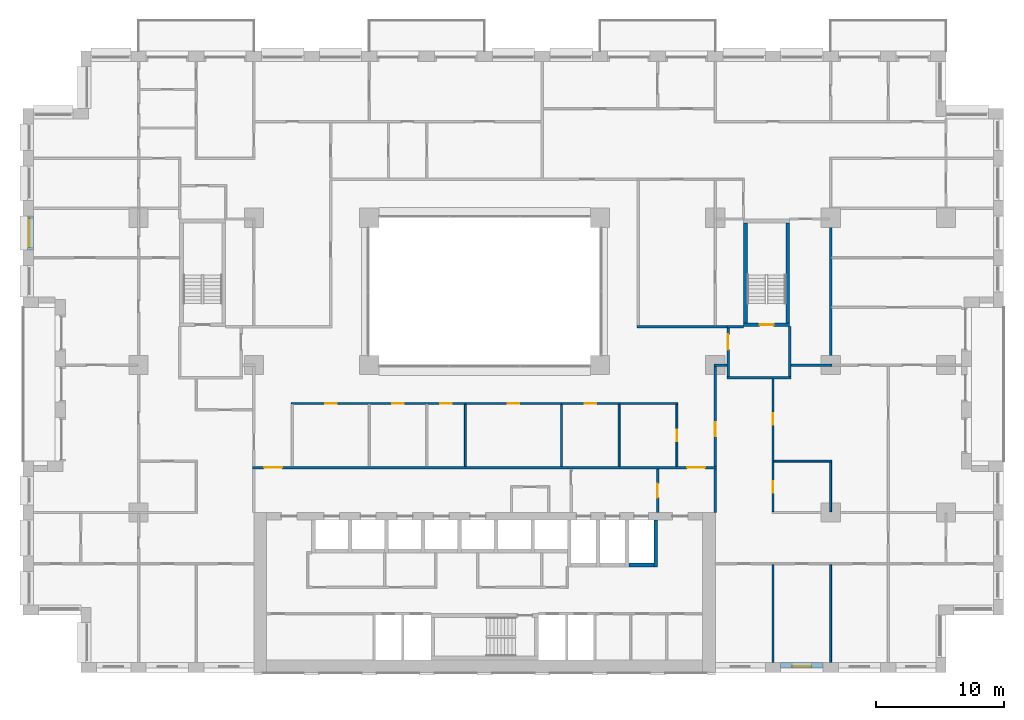
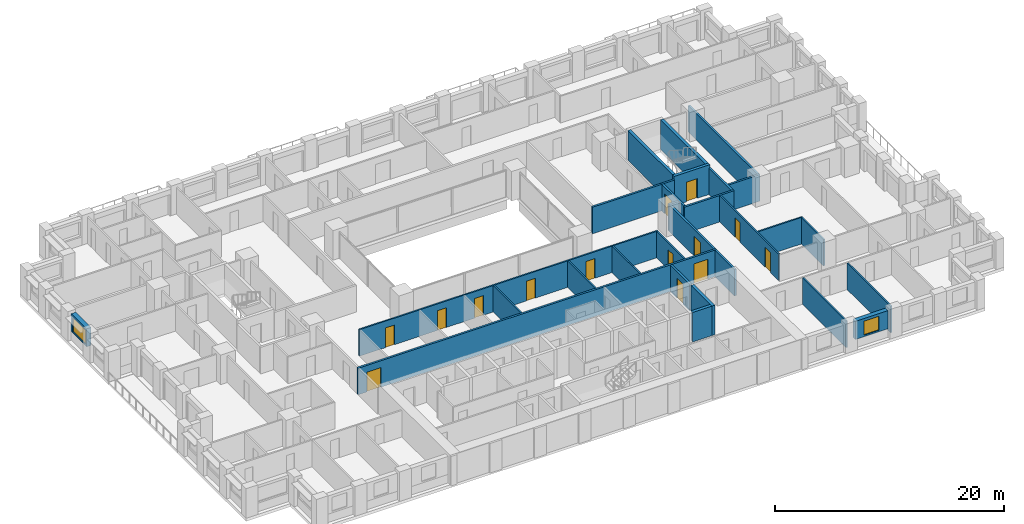
# One storey, part 12 of 20: 29 walls, 14 doors, 2 windows, 16 openings.
"""IFC4 building model written with IfcOpenShell, lengths in metres."""

import ifcopenshell
import ifcopenshell.guid

model = None  # the IFC model being written
_history = None  # IfcOwnerHistory: only IFC2X3 demands one
_inside = {}  # id of a spatial element -> (the spatial element, [elements in it])
_under = {}  # id of a project, library or spatial element -> (it, [spatial elements below it])
_declared = {}  # id of a project -> (the project, [libraries it declares])
_typed = {}  # id of a type object -> (the type object, [elements of that type])
_made_of = {}  # id of a material, layer set ... -> (it, [elements and type objects made of it])


def new_model(schema):
    """Start an empty IFC model of exactly this schema.

    Asked for "IFC4X3", IfcOpenShell would pick the latest addendum, in which some entities
    have other attributes; the version numbers below select the first issue.
    IFC2X3 requires an IfcOwnerHistory on every rooted entity: one is made here for all.
    """
    global model, _history
    if schema == "IFC4X3":
        model = ifcopenshell.file(schema_version=(4, 3, 0, 0))
    else:
        model = ifcopenshell.file(schema=schema)
    _inside.clear()
    _under.clear()
    _declared.clear()
    _typed.clear()
    _made_of.clear()
    _history = None
    if model.schema == "IFC2X3":
        org = make("IfcOrganization", Name="unknown")
        user = make(
            "IfcPersonAndOrganization",
            ThePerson=make("IfcPerson", FamilyName="unknown"),
            TheOrganization=org,
        )
        app = make(
            "IfcApplication",
            ApplicationDeveloper=org,
            Version="unknown",
            ApplicationFullName="unknown",
            ApplicationIdentifier="unknown",
        )
        _history = make(
            "IfcOwnerHistory",
            OwningUser=user,
            OwningApplication=app,
            ChangeAction="ADDED",
            CreationDate=0,
        )
    return model


def make(cls, **values):
    """One entity of the class cls with the attributes given. An attribute that is None is left unset."""
    return model.create_entity(
        cls, **{name: value for name, value in values.items() if value is not None}
    )


def rooted(cls, **values):
    """An entity with a GlobalId (a new one), such as an element, a storey or a relation."""
    return make(cls, GlobalId=ifcopenshell.guid.new(), OwnerHistory=_history, **values)


def si_unit(unit_type, name, prefix=None):
    """IfcSIUnit, for example si_unit("LENGTHUNIT", "METRE", prefix="MILLI")."""
    return make("IfcSIUnit", UnitType=unit_type, Prefix=prefix, Name=name)


def assignment(units):
    """IfcUnitAssignment: the units of a project."""
    return None if units is None else make("IfcUnitAssignment", Units=units)


def point(xyz):
    """IfcCartesianPoint."""
    return None if xyz is None else make("IfcCartesianPoint", Coordinates=xyz)


def direction(xyz):
    """IfcDirection."""
    return None if xyz is None else make("IfcDirection", DirectionRatios=xyz)


def frame(location, z_axis=None, x_axis=None):
    """IfcAxis2Placement3D, a coordinate frame: its origin and axes. An axis left out is left unset."""
    return make(
        "IfcAxis2Placement3D",
        Location=point(location),
        Axis=direction(z_axis),
        RefDirection=direction(x_axis),
    )


def frame_2d(location, x_axis=None):
    """IfcAxis2Placement2D, a coordinate frame in the plane: its origin and x axis."""
    return make(
        "IfcAxis2Placement2D", Location=point(location), RefDirection=direction(x_axis)
    )


def origin():
    """The frame at (0, 0, 0) with its axes left unset."""
    return frame((0.0, 0.0, 0.0))


def place(relative_to, where):
    """IfcLocalPlacement: puts the frame where relative to a parent placement (None: the world)."""
    return make(
        "IfcLocalPlacement", PlacementRelTo=relative_to, RelativePlacement=where
    )


def context(
    kind, dimensions, precision=None, world=None, true_north=None, identifier=None
):
    """IfcGeometricRepresentationContext, for example the 3D "Model" context."""
    return make(
        "IfcGeometricRepresentationContext",
        ContextIdentifier=identifier,
        ContextType=kind,
        CoordinateSpaceDimension=dimensions,
        Precision=precision,
        WorldCoordinateSystem=world,
        TrueNorth=true_north,
    )


def subcontext(parent, identifier, kind, view, scale=None):
    """IfcGeometricRepresentationSubContext, for example "Body" below "Model"."""
    return make(
        "IfcGeometricRepresentationSubContext",
        ContextIdentifier=identifier,
        ContextType=kind,
        ParentContext=parent,
        TargetScale=scale,
        TargetView=view,
    )


def project(units=None, contexts=None):
    """IfcProject with its units and contexts."""
    return rooted(
        "IfcProject",
        Name="project",
        RepresentationContexts=contexts,
        UnitsInContext=assignment(units),
    )


def spatial(cls, under=None, at=None, **own):
    """A site, building, storey or space (cls), placed at a placement, below another one or the project."""
    s = rooted(cls, ObjectPlacement=at, **own)
    if under is not None:
        _under.setdefault(under.id(), (under, []))[1].append(s)
    return s


def profile(cls, at=None, kind="AREA", **sizes):
    """A parametric profile (cls). Its sizes go by their IFC names, for example OverallWidth=200.0."""
    return make(cls, ProfileType=kind, Position=at, **sizes)


def rectangle(**sizes):
    """IfcRectangleProfileDef."""
    return profile("IfcRectangleProfileDef", **sizes)


def extrude(swept, where, along, depth):
    """IfcExtrudedAreaSolid: the profile swept, set in the frame where, extruded along a direction by depth."""
    return make(
        "IfcExtrudedAreaSolid",
        SweptArea=swept,
        Position=where,
        ExtrudedDirection=direction(along),
        Depth=depth,
    )


def shape(context_of_items, identifier, shape_type, items):
    """IfcShapeRepresentation: the items that make up one representation, for example the "Body"."""
    return make(
        "IfcShapeRepresentation",
        ContextOfItems=context_of_items,
        RepresentationIdentifier=identifier,
        RepresentationType=shape_type,
        Items=items,
    )


def material(Name=None, Category=None):
    """IfcMaterial."""
    return make("IfcMaterial", Name=Name, Category=Category)


def layer(
    of_material, thickness, ventilated=None, Name=None, Category=None, Priority=None
):
    """IfcMaterialLayer: one layer of a wall or slab, of a material (None: an air gap)."""
    return make(
        "IfcMaterialLayer",
        Material=of_material,
        LayerThickness=thickness,
        IsVentilated=ventilated,
        Name=Name,
        Category=Category,
        Priority=Priority,
    )


def layer_set(layers, Name=None):
    """IfcMaterialLayerSet."""
    return make("IfcMaterialLayerSet", MaterialLayers=layers, LayerSetName=Name)


def made_of(thing, what):
    """Note that an element or type object is made of a material, layer set ...; save() writes the relation."""
    if what is not None:
        _made_of.setdefault(what.id(), (what, []))[1].append(thing)
    return thing


def type_object(cls, material=None, **own):
    """A type object (cls), such as IfcWallType, which elements share."""
    return made_of(rooted(cls, **own), material)


def element(
    cls,
    number,
    at=None,
    inside=None,
    cuts=None,
    type_object=None,
    material=None,
    context=None,
    identifier="Body",
    shape_type=None,
    held_by="IfcProductDefinitionShape",
    body=None,
    shapes=None,
    **own,
):
    """One element of the class cls, such as IfcWall. Its Tag is "e" and its number.

    at: its placement. inside: the storey or other place that contains it. cuts: it is an
    opening in that element (IfcRelVoidsElement). A single representation is given by context,
    identifier, shape_type and body (its items); several are given by shapes. held_by: the class
    of the entity that holds the representations. save() writes the other relations.
    """
    e = rooted(cls, Tag="e%d" % number, ObjectPlacement=at, **own)
    if body is not None:
        shapes = [shape(context, identifier, shape_type, body)]
    if shapes is not None:
        e.Representation = make(held_by, Representations=shapes)
    if inside is not None:
        _inside.setdefault(inside.id(), (inside, []))[1].append(e)
    if cuts is not None:
        rooted(
            "IfcRelVoidsElement", RelatingBuildingElement=cuts, RelatedOpeningElement=e
        )
    if type_object is not None:
        _typed.setdefault(type_object.id(), (type_object, []))[1].append(e)
    return made_of(e, material)


def fill(opening, filler):
    """IfcRelFillsElement: the door or window that sits in an opening."""
    return rooted(
        "IfcRelFillsElement",
        RelatingOpeningElement=opening,
        RelatedBuildingElement=filler,
    )


def aggregate(whole, parts):
    """IfcRelAggregates: a whole, such as a stair, and the parts it consists of."""
    return rooted("IfcRelAggregates", RelatingObject=whole, RelatedObjects=parts)


def save(model, path):
    """Write the relations noted so far, then the file.

    IfcRelAggregates (storeys below a building ...), IfcRelContainedInSpatialStructure (elements
    in a storey), IfcRelDefinesByType, IfcRelAssociatesMaterial and IfcRelDeclares: one each for
    every whole, place, type object, material and project.
    """
    for whole, parts in _under.values():
        aggregate(whole, parts)
    for where, things in _inside.values():
        rooted(
            "IfcRelContainedInSpatialStructure",
            RelatedElements=things,
            RelatingStructure=where,
        )
    for kind, things in _typed.values():
        rooted("IfcRelDefinesByType", RelatedObjects=things, RelatingType=kind)
    for what, things in _made_of.values():
        rooted("IfcRelAssociatesMaterial", RelatedObjects=things, RelatingMaterial=what)
    for by, libraries in _declared.values():
        rooted("IfcRelDeclares", RelatingContext=by, RelatedDefinitions=libraries)
    model.write(path)


model = new_model("IFC4")

# Units and contexts
model_context = context("Model", 3, precision=1e-05, world=origin(), true_north=direction((0.0, 1.0)))
body_context = subcontext(model_context, "Body", "Model", "MODEL_VIEW")
ifc_project = project(units=[si_unit("LENGTHUNIT", "METRE"), si_unit("AREAUNIT", "SQUARE_METRE"), si_unit("VOLUMEUNIT", "CUBIC_METRE"), si_unit("PLANEANGLEUNIT", "RADIAN"), si_unit("MASSUNIT", "GRAM", prefix="KILO")], contexts=[model_context])

# Site, building, storey
site_placement = place(None, origin())
site = spatial("IfcSite", under=ifc_project, at=site_placement, CompositionType="ELEMENT")
building_placement = place(site_placement, origin())
building = spatial("IfcBuilding", under=site, at=building_placement, Name="Brigalow Station Residences", CompositionType="ELEMENT")
storey_placement = place(building_placement, frame((0.0, 0.0, 60.449951171875)))
storey = spatial("IfcBuildingStorey", under=building, at=storey_placement, Name="L17", CompositionType="ELEMENT", Elevation=60.449951171875)

# Wall, opening, window
ifc_material_1 = material(Name="Clay brick masonry", Category="masonry")
ifc_layer_1 = layer(ifc_material_1, 0.449951171875)
ifc_layer_set_1 = layer_set([ifc_layer_1], Name="BRICK INFILL WALL 450")
wall_type_1 = type_object("IfcWallType", Name="BRICK INFILL WALL 450", PredefinedType="SOLIDWALL", material=ifc_layer_set_1)
wall_1_placement = place(storey_placement, frame((59.10009765625, 0.574951171875, 0.900146484375), z_axis=(0.0, 0.0, 1.0), x_axis=(1.0, 0.0, 0.0)))
wall_1 = element("IfcWall", 1, at=wall_1_placement, inside=storey, type_object=wall_type_1, Name="L17/ewall/W-L17-6", PredefinedType="SOLIDWALL", context=body_context, shape_type="SweptSolid", body=[
    extrude(rectangle(XDim=3.2998046875, YDim=0.449951171875, at=frame_2d((1.64990234375, 0.0))), origin(), (0.0, 0.0, 1.0), 1.929931640625),
])
opening_1_placement = place(wall_1_placement, frame((0.89990234375, 0.0, 0.14990234375)))
opening_1 = element("IfcOpeningElement", 2, at=opening_1_placement, cuts=wall_1, Name="Opening WT-1", PredefinedType="OPENING", context=body_context, shape_type="SweptSolid", body=[
    extrude(rectangle(XDim=1.5, YDim=1.5, at=frame_2d((0.75, 0.75))), frame((0.0, 0.23486328125, 0.0), z_axis=(0.0, -1.0, 0.0), x_axis=(1.0, 0.0, 0.0)), (0.0, 0.0, 1.0), 0.469970703125),
])
ifc_material_2 = material(Name="Anodised aluminium frame with double glazing", Category="aluminium")
window_type_1 = type_object("IfcWindowType", Name="WINDOW 1500x1500", PartitioningType="SINGLE_PANEL", PredefinedType="WINDOW", material=ifc_material_2)
window_1_placement = place(opening_1_placement, origin())
window_1 = element("IfcWindow", 3, at=window_1_placement, inside=storey, type_object=window_type_1, Name="L17/window/W-L17-6", OverallHeight=1.5, OverallWidth=1.5, PartitioningType="SINGLE_PANEL", PredefinedType="WINDOW", context=body_context, shape_type="SweptSolid", body=[
    extrude(rectangle(XDim=1.5, YDim=1.5, at=frame_2d((0.75, 0.75))), frame((0.0, -0.06494140625, 0.0), z_axis=(0.0, -1.0, 0.0), x_axis=(1.0, 0.0, 0.0)), (0.0, 0.0, 1.0), 0.06005859375),
])
fill(opening_1, window_1)

wall_2_placement = place(storey_placement, frame((0.574951171875, 35.64990234375, 0.900146484375), z_axis=(0.0, 0.0, 1.0), x_axis=(0.0, -1.0, 0.0)))
wall_2 = element("IfcWall", 4, at=wall_2_placement, inside=storey, type_object=wall_type_1, Name="L17/ewall/W-L17-44", PredefinedType="SOLIDWALL", context=body_context, shape_type="SweptSolid", body=[
    extrude(rectangle(XDim=2.6748046875, YDim=0.449951171875, at=frame_2d((1.33740234375, 0.0))), origin(), (0.0, 0.0, 1.0), 1.929931640625),
])
opening_2_placement = place(wall_2_placement, frame((0.21240234375, 0.0, 0.14990234375)))
opening_2 = element("IfcOpeningElement", 5, at=opening_2_placement, cuts=wall_2, Name="Opening WT-6", PredefinedType="OPENING", context=body_context, shape_type="SweptSolid", body=[
    extrude(rectangle(XDim=2.25, YDim=1.5, at=frame_2d((1.125, 0.75))), frame((0.0, 0.23486328125, 0.0), z_axis=(0.0, -1.0, 0.0), x_axis=(1.0, 0.0, 0.0)), (0.0, 0.0, 1.0), 0.469970703125),
])
ifc_material_3 = material(Name="Anodised aluminium frame with double glazing", Category="aluminium")
window_type_2 = type_object("IfcWindowType", Name="WINDOW 2250x1500", PartitioningType="SINGLE_PANEL", PredefinedType="WINDOW", material=ifc_material_3)
window_2_placement = place(opening_2_placement, origin())
window_2 = element("IfcWindow", 6, at=window_2_placement, inside=storey, type_object=window_type_2, Name="L17/window/W-L17-44", OverallHeight=1.5, OverallWidth=2.25, PartitioningType="SINGLE_PANEL", PredefinedType="WINDOW", context=body_context, shape_type="SweptSolid", body=[
    extrude(rectangle(XDim=2.25, YDim=1.5, at=frame_2d((1.125, 0.75))), frame((0.0, -0.06494140625, 0.0), z_axis=(0.0, -1.0, 0.0), x_axis=(1.0, 0.0, 0.0)), (0.0, 0.0, 1.0), 0.06005859375),
])
fill(opening_2, window_2)

# Walls
ifc_material_4 = material(Name="Concrete C80", Category="concrete")
ifc_layer_2 = layer(ifc_material_4, 0.300048828125)
ifc_layer_set_2 = layer_set([ifc_layer_2], Name="CORE SHEAR WALL 300 C80")
wall_type_2 = type_object("IfcWallType", Name="CORE SHEAR WALL 300 C80", PredefinedType="SHEAR", material=ifc_layer_set_2)
wall_3_placement = place(storey_placement, frame((47.25, 8.39990234375, 0.0), z_axis=(0.0, 0.0, 1.0), x_axis=(1.0, 0.0, 0.0)))
element("IfcWall", 7, at=wall_3_placement, inside=storey, type_object=wall_type_2, Name="CORE WALL SH-SL1-S L17", PredefinedType="SHEAR", context=body_context, shape_type="SweptSolid", body=[
    extrude(rectangle(XDim=1.949951171875, YDim=0.300048828125, at=frame_2d((0.97509765625, 0.0))), origin(), (0.0, 0.0, 1.0), 3.150146484375),
])
wall_4_placement = place(storey_placement, frame((49.35009765625, 8.25, 0.0), z_axis=(0.0, 0.0, 1.0), x_axis=(0.0, 1.0, 0.0)))
element("IfcWall", 8, at=wall_4_placement, inside=storey, type_object=wall_type_2, Name="CORE WALL SH-SL1-E L17", PredefinedType="SHEAR", context=body_context, shape_type="SweptSolid", body=[
    extrude(rectangle(XDim=3.64990234375, YDim=0.300048828125, at=frame_2d((1.824951171875, 0.0))), origin(), (0.0, 0.0, 1.0), 3.150146484375),
])

# Wall, opening, door
wall_5_placement = place(storey_placement, frame((56.199951171875, 27.14990234375, 0.0), z_axis=(0.0, 0.0, 1.0), x_axis=(1.0, 0.0, 0.0)))
wall_5 = element("IfcWall", 9, at=wall_5_placement, inside=storey, type_object=wall_type_2, Name="CORE WALL ST-S3-S L17", PredefinedType="SHEAR", context=body_context, shape_type="SweptSolid", body=[
    extrude(rectangle(XDim=3.60009765625, YDim=0.300048828125, at=frame_2d((1.800048828125, 0.0))), origin(), (0.0, 0.0, 1.0), 3.150146484375),
])
opening_3_placement = place(wall_5_placement, frame((1.25, 0.0, 0.0)))
opening_3 = element("IfcOpeningElement", 10, at=opening_3_placement, cuts=wall_5, Name="Opening D-5018", PredefinedType="OPENING", context=body_context, shape_type="SweptSolid", body=[
    extrude(rectangle(XDim=1.10009765625, YDim=2.10009765625, at=frame_2d((0.550048828125, 1.050048828125))), frame((0.0, 0.16015625, 0.0), z_axis=(0.0, -1.0, 0.0), x_axis=(1.0, 0.0, 0.0)), (0.0, 0.0, 1.0), 0.320068359375),
])
ifc_material_5 = material(Name="Steel fire door leaf in steel frame", Category="steel")
door_type_1 = type_object("IfcDoorType", Name="STAIR DOOR 1100 x 2100 FD60S", OperationType="SINGLE_SWING_LEFT", PredefinedType="DOOR", material=ifc_material_5)
door_1_placement = place(opening_3_placement, origin())
door_1 = element("IfcDoor", 11, at=door_1_placement, inside=storey, type_object=door_type_1, Name="D-5018", OperationType="SINGLE_SWING_LEFT", OverallHeight=2.10009765625, OverallWidth=1.10009765625, PredefinedType="DOOR", context=body_context, shape_type="SweptSolid", body=[
    extrude(rectangle(XDim=1.10009765625, YDim=2.10009765625, at=frame_2d((0.550048828125, 1.050048828125))), frame((0.0, 0.02490234375, 0.0), z_axis=(0.0, -1.0, 0.0), x_axis=(1.0, 0.0, 0.0)), (0.0, 0.0, 1.0), 0.050048828125),
])
fill(opening_3, door_1)

# Walls
for number, where, z_axis, x_axis, name in (
    (12, (56.35009765625, 27.300048828125, 0.0), (0.0, 0.0, 1.0), (0.0, 1.0, 0.0), "CORE WALL ST-S3-W L17"),
    (13, (59.64990234375, 27.300048828125, 0.0), (0.0, 0.0, 1.0), (0.0, 1.0, 0.0), "CORE WALL ST-S3-E L17"),
):
    element("IfcWall", number, at=place(storey_placement, frame(where, z_axis=z_axis, x_axis=x_axis)), inside=storey, type_object=wall_type_2, Name=name, PredefinedType="SHEAR", context=body_context, shape_type="SweptSolid", body=[
        extrude(rectangle(XDim=7.800048828125, YDim=0.300048828125, at=frame_2d((3.89990234375, 0.0))), origin(), (0.0, 0.0, 1.0), 3.150146484375),
    ])
ifc_material_6 = material(Name="Concrete blockwork", Category="masonry")
ifc_layer_3 = layer(ifc_material_6, 0.199951171875)
ifc_layer_set_3 = layer_set([ifc_layer_3], Name="FIRE RATED CORE PARTITION 200")
wall_type_3 = type_object("IfcWallType", Name="FIRE RATED CORE PARTITION 200", PredefinedType="PARTITIONING", material=ifc_layer_set_3)
wall_6_placement = place(storey_placement, frame((54.89990234375, 23.0, 0.0), z_axis=(0.0, 0.0, 1.0), x_axis=(1.0, 0.0, 0.0)))
element("IfcWall", 14, at=wall_6_placement, inside=storey, type_object=wall_type_3, Name="PW-5024", PredefinedType="PARTITIONING", context=body_context, shape_type="SweptSolid", body=[
    extrude(rectangle(XDim=5.0, YDim=0.199951171875, at=frame_2d((2.5, 0.0))), origin(), (0.0, 0.0, 1.0), 2.830078125),
])
wall_7_placement = place(storey_placement, frame((54.89990234375, 27.0, 0.0), z_axis=(0.0, 0.0, 1.0), x_axis=(1.0, 0.0, 0.0)))
element("IfcWall", 15, at=wall_7_placement, inside=storey, type_object=wall_type_3, Name="PW-5026", PredefinedType="PARTITIONING", context=body_context, shape_type="SweptSolid", body=[
    extrude(rectangle(XDim=1.300048828125, YDim=0.199951171875, at=frame_2d((0.64990234375, 0.0))), origin(), (0.0, 0.0, 1.0), 2.830078125),
])

# Wall, opening, door
wall_8_placement = place(storey_placement, frame((49.5, 12.5, 0.0), z_axis=(0.0, 0.0, 1.0), x_axis=(0.0, 1.0, 0.0)))
wall_8 = element("IfcWall", 16, at=wall_8_placement, inside=storey, type_object=wall_type_3, Name="PW-5015", PredefinedType="PARTITIONING", context=body_context, shape_type="SweptSolid", body=[
    extrude(rectangle(XDim=3.39990234375, YDim=0.199951171875, at=frame_2d((1.699951171875, 0.0))), origin(), (0.0, 0.0, 1.0), 2.830078125),
])
opening_4_placement = place(wall_8_placement, frame((1.14990234375, 0.0, 0.0)))
opening_4 = element("IfcOpeningElement", 17, at=opening_4_placement, cuts=wall_8, Name="Opening D-5014", PredefinedType="OPENING", context=body_context, shape_type="SweptSolid", body=[
    extrude(rectangle(XDim=1.10009765625, YDim=2.10009765625, at=frame_2d((0.550048828125, 1.050048828125))), frame((0.0, 0.10986328125, 0.0), z_axis=(0.0, -1.0, 0.0), x_axis=(1.0, 0.0, 0.0)), (0.0, 0.0, 1.0), 0.219970703125),
])
ifc_material_7 = material(Name="Steel fire door leaf in steel frame", Category="steel")
door_type_2 = type_object("IfcDoorType", Name="LOBBY DOOR 1100 x 2100 FD60S", OperationType="SINGLE_SWING_LEFT", PredefinedType="DOOR", material=ifc_material_7)
door_2_placement = place(opening_4_placement, origin())
door_2 = element("IfcDoor", 18, at=door_2_placement, inside=storey, type_object=door_type_2, Name="D-5014", OperationType="SINGLE_SWING_LEFT", OverallHeight=2.10009765625, OverallWidth=1.10009765625, PredefinedType="DOOR", context=body_context, shape_type="SweptSolid", body=[
    extrude(rectangle(XDim=1.10009765625, YDim=2.10009765625, at=frame_2d((0.550048828125, 1.050048828125))), frame((0.0, 0.02490234375, 0.0), z_axis=(0.0, -1.0, 0.0), x_axis=(1.0, 0.0, 0.0)), (0.0, 0.0, 1.0), 0.050048828125),
])
fill(opening_4, door_2)

# Wall
wall_9_placement = place(storey_placement, frame((54.0, 12.5, 0.0), z_axis=(0.0, 0.0, 1.0), x_axis=(0.0, 1.0, 0.0)))
element("IfcWall", 19, at=wall_9_placement, inside=storey, type_object=wall_type_3, Name="PW-5016", PredefinedType="PARTITIONING", context=body_context, shape_type="SweptSolid", body=[
    extrude(rectangle(XDim=3.39990234375, YDim=0.199951171875, at=frame_2d((1.699951171875, 0.0))), origin(), (0.0, 0.0, 1.0), 2.830078125),
])

# Wall, opening, door
wall_10_placement = place(storey_placement, frame((55.0, 23.10009765625, 0.0), z_axis=(0.0, 0.0, 1.0), x_axis=(0.0, 1.0, 0.0)))
wall_10 = element("IfcWall", 20, at=wall_10_placement, inside=storey, type_object=wall_type_3, Name="PW-5036", PredefinedType="PARTITIONING", context=body_context, shape_type="SweptSolid", body=[
    extrude(rectangle(XDim=3.7998046875, YDim=0.199951171875, at=frame_2d((1.89990234375, 0.0))), origin(), (0.0, 0.0, 1.0), 2.830078125),
])
opening_5_placement = place(wall_10_placement, frame((2.10009765625, 0.0, 0.0)))
opening_5 = element("IfcOpeningElement", 21, at=opening_5_placement, cuts=wall_10, Name="Opening D-5019", PredefinedType="OPENING", context=body_context, shape_type="SweptSolid", body=[
    extrude(rectangle(XDim=1.199951171875, YDim=2.10009765625, at=frame_2d((0.60009765625, 1.050048828125))), frame((0.0, 0.10986328125, 0.0), z_axis=(0.0, -1.0, 0.0), x_axis=(1.0, 0.0, 0.0)), (0.0, 0.0, 1.0), 0.219970703125),
])
ifc_material_8 = material(Name="Steel fire door leaf in steel frame", Category="steel")
door_type_3 = type_object("IfcDoorType", Name="STAIR LOBBY DOOR 1200 x 2100 FD60S", OperationType="SINGLE_SWING_LEFT", PredefinedType="DOOR", material=ifc_material_8)
door_3_placement = place(opening_5_placement, frame((1.199951171875, 0.0, 0.0), z_axis=(0.0, 0.0, 1.0), x_axis=(-1.0, 0.0, 0.0)))
door_3 = element("IfcDoor", 22, at=door_3_placement, inside=storey, type_object=door_type_3, Name="D-5019", OperationType="SINGLE_SWING_LEFT", OverallHeight=2.10009765625, OverallWidth=1.199951171875, PredefinedType="DOOR", context=body_context, shape_type="SweptSolid", body=[
    extrude(rectangle(XDim=1.199951171875, YDim=2.10009765625, at=frame_2d((0.60009765625, 1.050048828125))), frame((0.0, 0.02490234375, 0.0), z_axis=(0.0, -1.0, 0.0), x_axis=(1.0, 0.0, 0.0)), (0.0, 0.0, 1.0), 0.050048828125),
])
fill(opening_5, door_3)

# Wall
wall_11_placement = place(storey_placement, frame((59.800048828125, 23.10009765625, 0.0), z_axis=(0.0, 0.0, 1.0), x_axis=(0.0, 1.0, 0.0)))
element("IfcWall", 23, at=wall_11_placement, inside=storey, type_object=wall_type_3, Name="PW-5037", PredefinedType="PARTITIONING", context=body_context, shape_type="SweptSolid", body=[
    extrude(rectangle(XDim=3.89990234375, YDim=0.199951171875, at=frame_2d((1.949951171875, 0.0))), origin(), (0.0, 0.0, 1.0), 2.830078125),
])

# Wall, openings, doors
ifc_material_9 = material(Name="Plasterboard on steel stud partition", Category="steel")
ifc_layer_4 = layer(ifc_material_9, 0.14990234375)
ifc_layer_set_4 = layer_set([ifc_layer_4], Name="FLAT PARTITION 150")
wall_type_4 = type_object("IfcWallType", Name="FLAT PARTITION 150", PredefinedType="PARTITIONING", material=ifc_layer_set_4)
wall_12_placement = place(storey_placement, frame((20.925048828125, 21.0, 0.0), z_axis=(0.0, 0.0, 1.0), x_axis=(1.0, 0.0, 0.0)))
wall_12 = element("IfcWall", 24, at=wall_12_placement, inside=storey, type_object=wall_type_4, Name="PW-1F01", PredefinedType="PARTITIONING", context=body_context, shape_type="SweptSolid", body=[
    extrude(rectangle(XDim=30.14990234375, YDim=0.14990234375, at=frame_2d((15.074951171875, 0.0))), origin(), (0.0, 0.0, 1.0), 2.830078125),
])
opening_6_placement = place(wall_12_placement, frame((2.625, 0.0, 0.0)))
opening_6 = element("IfcOpeningElement", 25, at=opening_6_placement, cuts=wall_12, Name="Opening D-1F67", PredefinedType="OPENING", context=body_context, shape_type="SweptSolid", body=[
    extrude(rectangle(XDim=0.89990234375, YDim=2.10009765625, at=frame_2d((0.449951171875, 1.050048828125))), frame((0.0, 0.0849609375, 0.0), z_axis=(0.0, -1.0, 0.0), x_axis=(1.0, 0.0, 0.0)), (0.0, 0.0, 1.0), 0.169921875),
])
opening_7_placement = place(wall_12_placement, frame((7.875, 0.0, 0.0)))
opening_7 = element("IfcOpeningElement", 26, at=opening_7_placement, cuts=wall_12, Name="Opening D-1F68", PredefinedType="OPENING", context=body_context, shape_type="SweptSolid", body=[
    extrude(rectangle(XDim=0.89990234375, YDim=2.10009765625, at=frame_2d((0.449951171875, 1.050048828125))), frame((0.0, 0.0849609375, 0.0), z_axis=(0.0, -1.0, 0.0), x_axis=(1.0, 0.0, 0.0)), (0.0, 0.0, 1.0), 0.169921875),
])
opening_8_placement = place(wall_12_placement, frame((11.625, 0.0, 0.0)))
opening_8 = element("IfcOpeningElement", 27, at=opening_8_placement, cuts=wall_12, Name="Opening D-1F69", PredefinedType="OPENING", context=body_context, shape_type="SweptSolid", body=[
    extrude(rectangle(XDim=0.89990234375, YDim=2.10009765625, at=frame_2d((0.449951171875, 1.050048828125))), frame((0.0, 0.0849609375, 0.0), z_axis=(0.0, -1.0, 0.0), x_axis=(1.0, 0.0, 0.0)), (0.0, 0.0, 1.0), 0.169921875),
])
opening_9_placement = place(wall_12_placement, frame((16.875, 0.0, 0.0)))
opening_9 = element("IfcOpeningElement", 28, at=opening_9_placement, cuts=wall_12, Name="Opening D-1F70", PredefinedType="OPENING", context=body_context, shape_type="SweptSolid", body=[
    extrude(rectangle(XDim=0.89990234375, YDim=2.10009765625, at=frame_2d((0.449951171875, 1.050048828125))), frame((0.0, 0.0849609375, 0.0), z_axis=(0.0, -1.0, 0.0), x_axis=(1.0, 0.0, 0.0)), (0.0, 0.0, 1.0), 0.169921875),
])
opening_10_placement = place(wall_12_placement, frame((22.875, 0.0, 0.0)))
opening_10 = element("IfcOpeningElement", 29, at=opening_10_placement, cuts=wall_12, Name="Opening D-1F71", PredefinedType="OPENING", context=body_context, shape_type="SweptSolid", body=[
    extrude(rectangle(XDim=0.89990234375, YDim=2.10009765625, at=frame_2d((0.449951171875, 1.050048828125))), frame((0.0, 0.0849609375, 0.0), z_axis=(0.0, -1.0, 0.0), x_axis=(1.0, 0.0, 0.0)), (0.0, 0.0, 1.0), 0.169921875),
])
ifc_material_10 = material(Name="Solid-core timber door leaf", Category="wood")
door_type_4 = type_object("IfcDoorType", Name="INTERNAL DOOR 900 x 2100", OperationType="SINGLE_SWING_LEFT", PredefinedType="DOOR", material=ifc_material_10)
door_4_placement = place(opening_6_placement, frame((0.89990234375, 0.0, 0.0), z_axis=(0.0, 0.0, 1.0), x_axis=(-1.0, 0.0, 0.0)))
door_4 = element("IfcDoor", 30, at=door_4_placement, inside=storey, type_object=door_type_4, Name="D-1F67", OperationType="SINGLE_SWING_LEFT", OverallHeight=2.10009765625, OverallWidth=0.89990234375, PredefinedType="DOOR", context=body_context, shape_type="SweptSolid", body=[
    extrude(rectangle(XDim=0.89990234375, YDim=2.10009765625, at=frame_2d((0.449951171875, 1.050048828125))), frame((0.0, 0.02490234375, 0.0), z_axis=(0.0, -1.0, 0.0), x_axis=(1.0, 0.0, 0.0)), (0.0, 0.0, 1.0), 0.050048828125),
])
fill(opening_6, door_4)
door_5_placement = place(opening_7_placement, frame((0.89990234375, 0.0, 0.0), z_axis=(0.0, 0.0, 1.0), x_axis=(-1.0, 0.0, 0.0)))
door_5 = element("IfcDoor", 31, at=door_5_placement, inside=storey, type_object=door_type_4, Name="D-1F68", OperationType="SINGLE_SWING_LEFT", OverallHeight=2.10009765625, OverallWidth=0.89990234375, PredefinedType="DOOR", context=body_context, shape_type="SweptSolid", body=[
    extrude(rectangle(XDim=0.89990234375, YDim=2.10009765625, at=frame_2d((0.449951171875, 1.050048828125))), frame((0.0, 0.02490234375, 0.0), z_axis=(0.0, -1.0, 0.0), x_axis=(1.0, 0.0, 0.0)), (0.0, 0.0, 1.0), 0.050048828125),
])
fill(opening_7, door_5)
door_6_placement = place(opening_8_placement, frame((0.89990234375, 0.0, 0.0), z_axis=(0.0, 0.0, 1.0), x_axis=(-1.0, 0.0, 0.0)))
door_6 = element("IfcDoor", 32, at=door_6_placement, inside=storey, type_object=door_type_4, Name="D-1F69", OperationType="SINGLE_SWING_RIGHT", OverallHeight=2.10009765625, OverallWidth=0.89990234375, PredefinedType="DOOR", context=body_context, shape_type="SweptSolid", body=[
    extrude(rectangle(XDim=0.89990234375, YDim=2.10009765625, at=frame_2d((0.449951171875, 1.050048828125))), frame((0.0, 0.02490234375, 0.0), z_axis=(0.0, -1.0, 0.0), x_axis=(1.0, 0.0, 0.0)), (0.0, 0.0, 1.0), 0.050048828125),
])
fill(opening_8, door_6)
door_7_placement = place(opening_9_placement, frame((0.89990234375, 0.0, 0.0), z_axis=(0.0, 0.0, 1.0), x_axis=(-1.0, 0.0, 0.0)))
door_7 = element("IfcDoor", 33, at=door_7_placement, inside=storey, type_object=door_type_4, Name="D-1F70", OperationType="SINGLE_SWING_LEFT", OverallHeight=2.10009765625, OverallWidth=0.89990234375, PredefinedType="DOOR", context=body_context, shape_type="SweptSolid", body=[
    extrude(rectangle(XDim=0.89990234375, YDim=2.10009765625, at=frame_2d((0.449951171875, 1.050048828125))), frame((0.0, 0.02490234375, 0.0), z_axis=(0.0, -1.0, 0.0), x_axis=(1.0, 0.0, 0.0)), (0.0, 0.0, 1.0), 0.050048828125),
])
fill(opening_9, door_7)
door_8_placement = place(opening_10_placement, frame((0.89990234375, 0.0, 0.0), z_axis=(0.0, 0.0, 1.0), x_axis=(-1.0, 0.0, 0.0)))
door_8 = element("IfcDoor", 34, at=door_8_placement, inside=storey, type_object=door_type_4, Name="D-1F71", OperationType="SINGLE_SWING_LEFT", OverallHeight=2.10009765625, OverallWidth=0.89990234375, PredefinedType="DOOR", context=body_context, shape_type="SweptSolid", body=[
    extrude(rectangle(XDim=0.89990234375, YDim=2.10009765625, at=frame_2d((0.449951171875, 1.050048828125))), frame((0.0, 0.02490234375, 0.0), z_axis=(0.0, -1.0, 0.0), x_axis=(1.0, 0.0, 0.0)), (0.0, 0.0, 1.0), 0.050048828125),
])
fill(opening_10, door_8)

# Wall
wall_13_placement = place(storey_placement, frame((58.574951171875, 16.5, 0.0), z_axis=(0.0, 0.0, 1.0), x_axis=(1.0, 0.0, 0.0)))
element("IfcWall", 35, at=wall_13_placement, inside=storey, type_object=wall_type_4, Name="PW-1F17", PredefinedType="PARTITIONING", context=body_context, shape_type="SweptSolid", body=[
    extrude(rectangle(XDim=4.5, YDim=0.14990234375, at=frame_2d((2.25, 0.0))), origin(), (0.0, 0.0, 1.0), 2.830078125),
])

# Wall, opening, door
wall_14_placement = place(storey_placement, frame((51.0, 16.10009765625, 0.0), z_axis=(0.0, 0.0, 1.0), x_axis=(0.0, 1.0, 0.0)))
wall_14 = element("IfcWall", 36, at=wall_14_placement, inside=storey, type_object=wall_type_4, Name="PW-1F45", PredefinedType="PARTITIONING", context=body_context, shape_type="SweptSolid", body=[
    extrude(rectangle(XDim=4.824951171875, YDim=0.14990234375, at=frame_2d((2.41259765625, 0.0))), origin(), (0.0, 0.0, 1.0), 2.830078125),
])
opening_11_placement = place(wall_14_placement, frame((1.949951171875, 0.0, 0.0)))
opening_11 = element("IfcOpeningElement", 37, at=opening_11_placement, cuts=wall_14, Name="Opening D-1F72", PredefinedType="OPENING", context=body_context, shape_type="SweptSolid", body=[
    extrude(rectangle(XDim=0.89990234375, YDim=2.10009765625, at=frame_2d((0.449951171875, 1.050048828125))), frame((0.0, 0.0849609375, 0.0), z_axis=(0.0, -1.0, 0.0), x_axis=(1.0, 0.0, 0.0)), (0.0, 0.0, 1.0), 0.169921875),
])
door_9_placement = place(opening_11_placement, origin())
door_9 = element("IfcDoor", 38, at=door_9_placement, inside=storey, type_object=door_type_4, Name="D-1F72", OperationType="SINGLE_SWING_LEFT", OverallHeight=2.10009765625, OverallWidth=0.89990234375, PredefinedType="DOOR", context=body_context, shape_type="SweptSolid", body=[
    extrude(rectangle(XDim=0.89990234375, YDim=2.10009765625, at=frame_2d((0.449951171875, 1.050048828125))), frame((0.0, 0.02490234375, 0.0), z_axis=(0.0, -1.0, 0.0), x_axis=(1.0, 0.0, 0.0)), (0.0, 0.0, 1.0), 0.050048828125),
])
fill(opening_11, door_9)

# Walls
wall_15_placement = place(storey_placement, frame((63.0, 0.800048828125, 0.0), z_axis=(0.0, 0.0, 1.0), x_axis=(0.0, 1.0, 0.0)))
element("IfcWall", 39, at=wall_15_placement, inside=storey, type_object=wall_type_4, Name="PW-1F69", PredefinedType="PARTITIONING", context=body_context, shape_type="SweptSolid", body=[
    extrude(rectangle(XDim=7.625, YDim=0.14990234375, at=frame_2d((3.8125, 0.0))), origin(), (0.0, 0.0, 1.0), 2.830078125),
])
wall_16_placement = place(storey_placement, frame((63.0, 12.574951171875, 0.0), z_axis=(0.0, 0.0, 1.0), x_axis=(0.0, 1.0, 0.0)))
element("IfcWall", 40, at=wall_16_placement, inside=storey, type_object=wall_type_4, Name="PW-1F70", PredefinedType="PARTITIONING", context=body_context, shape_type="SweptSolid", body=[
    extrude(rectangle(XDim=3.85009765625, YDim=0.14990234375, at=frame_2d((1.925048828125, 0.0))), origin(), (0.0, 0.0, 1.0), 2.830078125),
])
wall_17_placement = place(storey_placement, frame((58.5, 0.800048828125, 0.0), z_axis=(0.0, 0.0, 1.0), x_axis=(0.0, 1.0, 0.0)))
element("IfcWall", 41, at=wall_17_placement, inside=storey, type_object=wall_type_4, Name="PW-1F83", PredefinedType="PARTITIONING", context=body_context, shape_type="SweptSolid", body=[
    extrude(rectangle(XDim=7.625, YDim=0.14990234375, at=frame_2d((3.8125, 0.0))), origin(), (0.0, 0.0, 1.0), 2.830078125),
])

# Wall, openings, doors
wall_18_placement = place(storey_placement, frame((58.5, 12.574951171875, 0.0), z_axis=(0.0, 0.0, 1.0), x_axis=(0.0, 1.0, 0.0)))
wall_18 = element("IfcWall", 42, at=wall_18_placement, inside=storey, type_object=wall_type_4, Name="PW-1F84", PredefinedType="PARTITIONING", context=body_context, shape_type="SweptSolid", body=[
    extrude(rectangle(XDim=10.324951171875, YDim=0.14990234375, at=frame_2d((5.16259765625, 0.0))), origin(), (0.0, 0.0, 1.0), 2.830078125),
])
opening_12_placement = place(wall_18_placement, frame((1.47509765625, 0.0, 0.0)))
opening_12 = element("IfcOpeningElement", 43, at=opening_12_placement, cuts=wall_18, Name="Opening D-1F52", PredefinedType="OPENING", context=body_context, shape_type="SweptSolid", body=[
    extrude(rectangle(XDim=0.89990234375, YDim=2.10009765625, at=frame_2d((0.449951171875, 1.050048828125))), frame((0.0, 0.0849609375, 0.0), z_axis=(0.0, -1.0, 0.0), x_axis=(1.0, 0.0, 0.0)), (0.0, 0.0, 1.0), 0.169921875),
])
opening_13_placement = place(wall_18_placement, frame((6.75, 0.0, 0.0)))
opening_13 = element("IfcOpeningElement", 44, at=opening_13_placement, cuts=wall_18, Name="Opening D-1F62", PredefinedType="OPENING", context=body_context, shape_type="SweptSolid", body=[
    extrude(rectangle(XDim=0.89990234375, YDim=2.10009765625, at=frame_2d((0.449951171875, 1.050048828125))), frame((0.0, 0.0849609375, 0.0), z_axis=(0.0, -1.0, 0.0), x_axis=(1.0, 0.0, 0.0)), (0.0, 0.0, 1.0), 0.169921875),
])
door_10_placement = place(opening_12_placement, frame((0.89990234375, 0.0, 0.0), z_axis=(0.0, 0.0, 1.0), x_axis=(-1.0, 0.0, 0.0)))
door_10 = element("IfcDoor", 45, at=door_10_placement, inside=storey, type_object=door_type_4, Name="D-1F52", OperationType="SINGLE_SWING_LEFT", OverallHeight=2.10009765625, OverallWidth=0.89990234375, PredefinedType="DOOR", context=body_context, shape_type="SweptSolid", body=[
    extrude(rectangle(XDim=0.89990234375, YDim=2.10009765625, at=frame_2d((0.449951171875, 1.050048828125))), frame((0.0, 0.02490234375, 0.0), z_axis=(0.0, -1.0, 0.0), x_axis=(1.0, 0.0, 0.0)), (0.0, 0.0, 1.0), 0.050048828125),
])
fill(opening_12, door_10)
door_11_placement = place(opening_13_placement, frame((0.89990234375, 0.0, 0.0), z_axis=(0.0, 0.0, 1.0), x_axis=(-1.0, 0.0, 0.0)))
door_11 = element("IfcDoor", 46, at=door_11_placement, inside=storey, type_object=door_type_4, Name="D-1F62", OperationType="SINGLE_SWING_LEFT", OverallHeight=2.10009765625, OverallWidth=0.89990234375, PredefinedType="DOOR", context=body_context, shape_type="SweptSolid", body=[
    extrude(rectangle(XDim=0.89990234375, YDim=2.10009765625, at=frame_2d((0.449951171875, 1.050048828125))), frame((0.0, 0.02490234375, 0.0), z_axis=(0.0, -1.0, 0.0), x_axis=(1.0, 0.0, 0.0)), (0.0, 0.0, 1.0), 0.050048828125),
])
fill(opening_13, door_11)

# Walls
for number, where, z_axis, x_axis, name in (
    (47, (34.5, 16.10009765625, 0.0), (0.0, 0.0, 1.0), (0.0, 1.0, 0.0), "PW-1F85"),
    (48, (42.0, 16.10009765625, 0.0), (0.0, 0.0, 1.0), (0.0, 1.0, 0.0), "PW-1F86"),
    (49, (46.5, 16.10009765625, 0.0), (0.0, 0.0, 1.0), (0.0, 1.0, 0.0), "PW-1F87"),
):
    element("IfcWall", number, at=place(storey_placement, frame(where, z_axis=z_axis, x_axis=x_axis)), inside=storey, type_object=wall_type_4, Name=name, PredefinedType="PARTITIONING", context=body_context, shape_type="SweptSolid", body=[
        extrude(rectangle(XDim=4.824951171875, YDim=0.14990234375, at=frame_2d((2.41259765625, 0.0))), origin(), (0.0, 0.0, 1.0), 2.830078125),
    ])
ifc_material_11 = material(Name="Plasterboard on steel stud partition", Category="steel")
ifc_layer_5 = layer(ifc_material_11, 0.199951171875)
ifc_layer_set_5 = layer_set([ifc_layer_5], Name="PARTY AND CORRIDOR WALL 200")
wall_type_5 = type_object("IfcWallType", Name="PARTY AND CORRIDOR WALL 200", PredefinedType="PARTITIONING", material=ifc_layer_set_5)
wall_19_placement = place(storey_placement, frame((53.89990234375, 24.0, 0.0), z_axis=(0.0, 0.0, 1.0), x_axis=(1.0, 0.0, 0.0)))
element("IfcWall", 50, at=wall_19_placement, inside=storey, type_object=wall_type_5, Name="PW-1F05", PredefinedType="PARTITIONING", context=body_context, shape_type="SweptSolid", body=[
    extrude(rectangle(XDim=1.0, YDim=0.199951171875, at=frame_2d((0.5, 0.0))), origin(), (0.0, 0.0, 1.0), 2.830078125),
])
wall_20_placement = place(storey_placement, frame((59.89990234375, 24.0, 0.0), z_axis=(0.0, 0.0, 1.0), x_axis=(1.0, 0.0, 0.0)))
element("IfcWall", 51, at=wall_20_placement, inside=storey, type_object=wall_type_5, Name="PW-1F06", PredefinedType="PARTITIONING", context=body_context, shape_type="SweptSolid", body=[
    extrude(rectangle(XDim=3.2001953125, YDim=0.199951171875, at=frame_2d((1.60009765625, 0.0))), origin(), (0.0, 0.0, 1.0), 2.830078125),
])
wall_21_placement = place(storey_placement, frame((47.89990234375, 27.0, 0.0), z_axis=(0.0, 0.0, 1.0), x_axis=(1.0, 0.0, 0.0)))
element("IfcWall", 52, at=wall_21_placement, inside=storey, type_object=wall_type_5, Name="PW-1F08", PredefinedType="PARTITIONING", context=body_context, shape_type="SweptSolid", body=[
    extrude(rectangle(XDim=7.0, YDim=0.199951171875, at=frame_2d((3.5, 0.0))), origin(), (0.0, 0.0, 1.0), 2.830078125),
])

# Wall, openings, doors
wall_22_placement = place(storey_placement, frame((17.89990234375, 16.0, 0.0), z_axis=(0.0, 0.0, 1.0), x_axis=(1.0, 0.0, 0.0)))
wall_22 = element("IfcWall", 53, at=wall_22_placement, inside=storey, type_object=wall_type_5, Name="PW-1F37", PredefinedType="PARTITIONING", context=body_context, shape_type="SweptSolid", body=[
    extrude(rectangle(XDim=36.2001953125, YDim=0.199951171875, at=frame_2d((18.10009765625, 0.0))), origin(), (0.0, 0.0, 1.0), 2.830078125),
])
opening_14_placement = place(wall_22_placement, frame((0.89990234375, 0.0, 0.0)))
opening_14 = element("IfcOpeningElement", 54, at=opening_14_placement, cuts=wall_22, Name="Opening D-1F01", PredefinedType="OPENING", context=body_context, shape_type="SweptSolid", body=[
    extrude(rectangle(XDim=1.39990234375, YDim=2.10009765625, at=frame_2d((0.699951171875, 1.050048828125))), frame((0.0, 0.10986328125, 0.0), z_axis=(0.0, -1.0, 0.0), x_axis=(1.0, 0.0, 0.0)), (0.0, 0.0, 1.0), 0.219970703125),
])
opening_15_placement = place(wall_22_placement, frame((33.89990234375, 0.0, 0.0)))
opening_15 = element("IfcOpeningElement", 55, at=opening_15_placement, cuts=wall_22, Name="Opening D-1F02", PredefinedType="OPENING", context=body_context, shape_type="SweptSolid", body=[
    extrude(rectangle(XDim=1.39990234375, YDim=2.10009765625, at=frame_2d((0.699951171875, 1.050048828125))), frame((0.0, 0.10986328125, 0.0), z_axis=(0.0, -1.0, 0.0), x_axis=(1.0, 0.0, 0.0)), (0.0, 0.0, 1.0), 0.219970703125),
])
ifc_material_12 = material(Name="Solid-core timber door leaf", Category="wood")
door_type_5 = type_object("IfcDoorType", Name="CORRIDOR FIRE DOOR 1400 x 2100 FRL -/60/30", OperationType="DOUBLE_DOOR_SINGLE_SWING", PredefinedType="DOOR", material=ifc_material_12)
door_12_placement = place(opening_14_placement, frame((1.39990234375, 0.0, 0.0), z_axis=(0.0, 0.0, 1.0), x_axis=(-1.0, 0.0, 0.0)))
door_12 = element("IfcDoor", 56, at=door_12_placement, inside=storey, type_object=door_type_5, Name="D-1F01", OperationType="DOUBLE_DOOR_SINGLE_SWING", OverallHeight=2.10009765625, OverallWidth=1.39990234375, PredefinedType="DOOR", context=body_context, shape_type="SweptSolid", body=[
    extrude(rectangle(XDim=1.39990234375, YDim=2.10009765625, at=frame_2d((0.699951171875, 1.050048828125))), frame((0.0, 0.02490234375, 0.0), z_axis=(0.0, -1.0, 0.0), x_axis=(1.0, 0.0, 0.0)), (0.0, 0.0, 1.0), 0.050048828125),
])
fill(opening_14, door_12)
door_13_placement = place(opening_15_placement, frame((1.39990234375, 0.0, 0.0), z_axis=(0.0, 0.0, 1.0), x_axis=(-1.0, 0.0, 0.0)))
door_13 = element("IfcDoor", 57, at=door_13_placement, inside=storey, type_object=door_type_5, Name="D-1F02", OperationType="DOUBLE_DOOR_SINGLE_SWING", OverallHeight=2.10009765625, OverallWidth=1.39990234375, PredefinedType="DOOR", context=body_context, shape_type="SweptSolid", body=[
    extrude(rectangle(XDim=1.39990234375, YDim=2.10009765625, at=frame_2d((0.699951171875, 1.050048828125))), frame((0.0, 0.02490234375, 0.0), z_axis=(0.0, -1.0, 0.0), x_axis=(1.0, 0.0, 0.0)), (0.0, 0.0, 1.0), 0.050048828125),
])
fill(opening_15, door_13)

# Wall, opening, door
wall_23_placement = place(storey_placement, frame((54.0, 16.10009765625, 0.0), z_axis=(0.0, 0.0, 1.0), x_axis=(0.0, 1.0, 0.0)))
wall_23 = element("IfcWall", 58, at=wall_23_placement, inside=storey, type_object=wall_type_5, Name="PW-1F43", PredefinedType="PARTITIONING", context=body_context, shape_type="SweptSolid", body=[
    extrude(rectangle(XDim=7.7998046875, YDim=0.199951171875, at=frame_2d((3.89990234375, 0.0))), origin(), (0.0, 0.0, 1.0), 2.830078125),
])
opening_16_placement = place(wall_23_placement, frame((2.35009765625, 0.0, 0.0)))
opening_16 = element("IfcOpeningElement", 59, at=opening_16_placement, cuts=wall_23, Name="Opening D-1F66", PredefinedType="OPENING", context=body_context, shape_type="SweptSolid", body=[
    extrude(rectangle(XDim=1.10009765625, YDim=2.10009765625, at=frame_2d((0.550048828125, 1.050048828125))), frame((0.0, 0.10986328125, 0.0), z_axis=(0.0, -1.0, 0.0), x_axis=(1.0, 0.0, 0.0)), (0.0, 0.0, 1.0), 0.219970703125),
])
ifc_material_13 = material(Name="Solid-core timber door leaf", Category="wood")
door_type_6 = type_object("IfcDoorType", Name="FLAT ENTRANCE DOOR 1100 x 2100 FRL -/60/30", OperationType="SINGLE_SWING_LEFT", PredefinedType="DOOR", material=ifc_material_13)
door_14_placement = place(opening_16_placement, frame((1.10009765625, 0.0, 0.0), z_axis=(0.0, 0.0, 1.0), x_axis=(-1.0, 0.0, 0.0)))
door_14 = element("IfcDoor", 60, at=door_14_placement, inside=storey, type_object=door_type_6, Name="D-1F66", OperationType="SINGLE_SWING_LEFT", OverallHeight=2.10009765625, OverallWidth=1.10009765625, PredefinedType="DOOR", context=body_context, shape_type="SweptSolid", body=[
    extrude(rectangle(XDim=1.10009765625, YDim=2.10009765625, at=frame_2d((0.550048828125, 1.050048828125))), frame((0.0, 0.02490234375, 0.0), z_axis=(0.0, -1.0, 0.0), x_axis=(1.0, 0.0, 0.0)), (0.0, 0.0, 1.0), 0.050048828125),
])
fill(opening_16, door_14)

# Wall
wall_24_placement = place(storey_placement, frame((63.0, 24.074951171875, 0.0), z_axis=(0.0, 0.0, 1.0), x_axis=(0.0, 1.0, 0.0)))
element("IfcWall", 61, at=wall_24_placement, inside=storey, type_object=wall_type_5, Name="PW-1F73", PredefinedType="PARTITIONING", context=body_context, shape_type="SweptSolid", body=[
    extrude(rectangle(XDim=12.074951171875, YDim=0.199951171875, at=frame_2d((6.03759765625, 0.0))), origin(), (0.0, 0.0, 1.0), 2.830078125),
])

save(model, "model.ifc")
